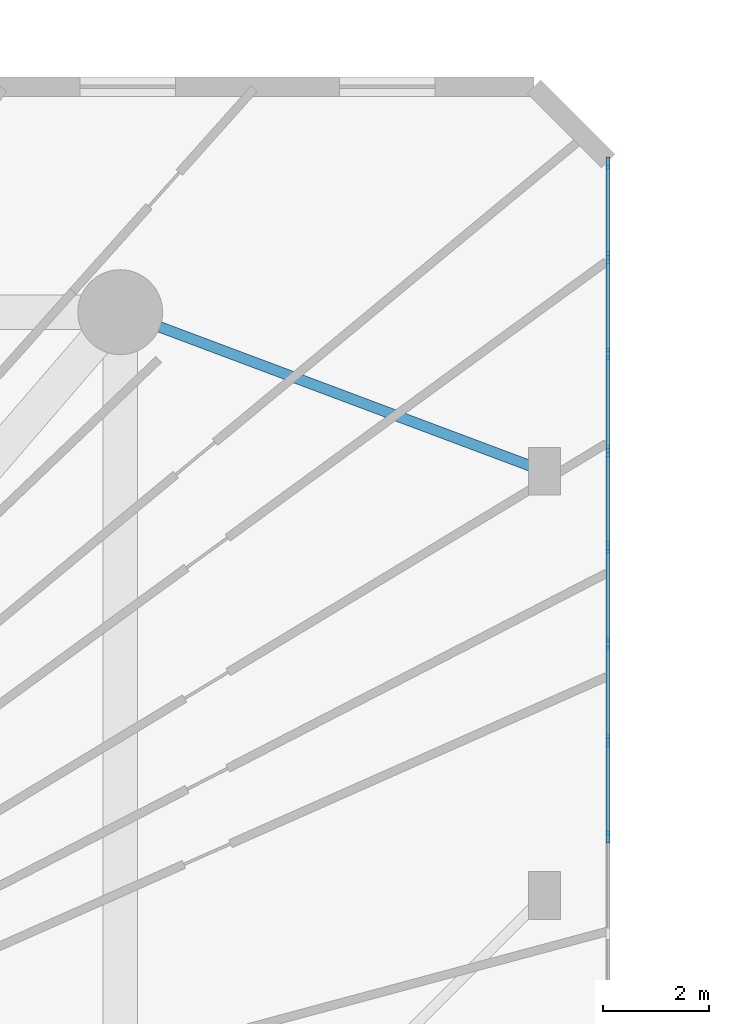
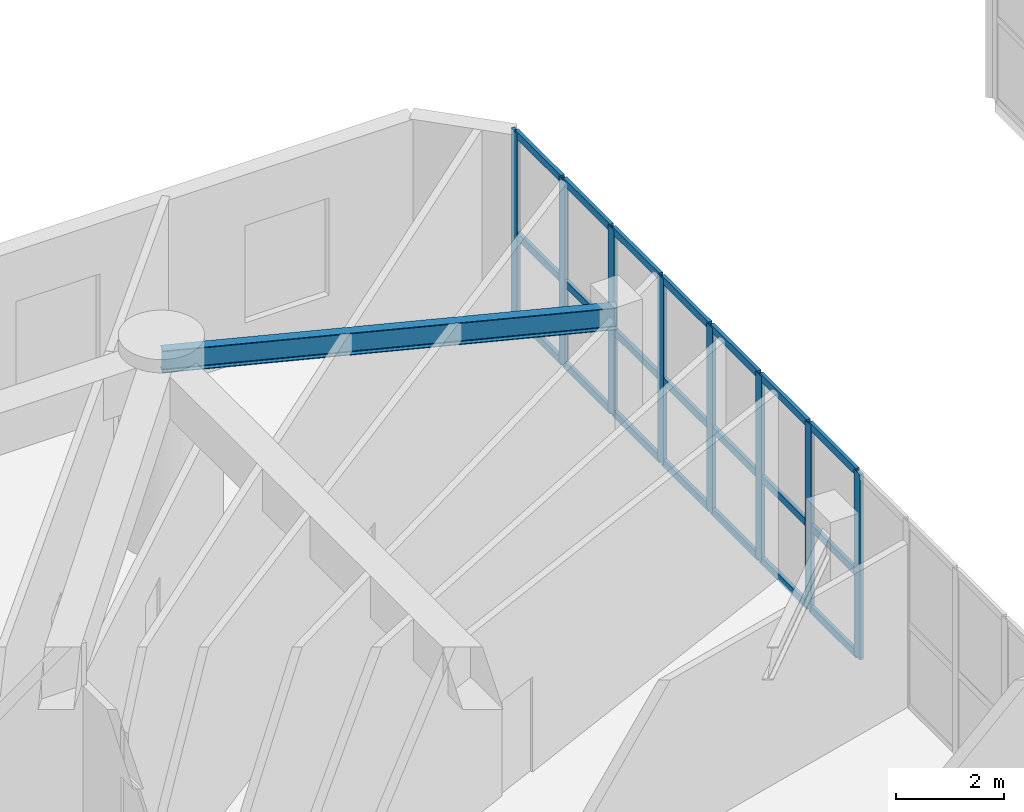
# One storey, part 5 of 26: 29 members, 1 beam, 1 element without a shape of its own.
"""IFC4 building model written with IfcOpenShell, lengths in metres."""

from ifc_helpers import new_model, si_unit, direction, frame, origin, origin_with_axes, origin_2d, place, context, subcontext, project, spatial, rectangle, i_section, extrude, source, transform, mapped, material, layer, layer_set, material_profile, profile_set, type_object, element, aggregate, save


model = new_model("IFC4")

# Units and contexts
model_context = context("Model", 3, precision=1e-05, world=origin(), true_north=direction((0.0, 1.0)))
body_context = subcontext(model_context, "Body", "Model", "MODEL_VIEW")
ifc_project = project(units=[si_unit("LENGTHUNIT", "METRE"), si_unit("AREAUNIT", "SQUARE_METRE"), si_unit("VOLUMEUNIT", "CUBIC_METRE"), si_unit("PLANEANGLEUNIT", "RADIAN"), si_unit("MASSUNIT", "GRAM", prefix="KILO")], contexts=[model_context])

# Site, building, storey
site_placement = place(None, origin())
site = spatial("IfcSite", under=ifc_project, at=site_placement, CompositionType="ELEMENT")
building_placement = place(site_placement, origin())
building = spatial("IfcBuilding", under=site, at=building_placement, Name="Karkom Vertical University and Central Library", CompositionType="ELEMENT")
storey_placement = place(building_placement, frame((0.0, 0.0, 9.0)))
storey = spatial("IfcBuildingStorey", under=building, at=storey_placement, Name="L02", CompositionType="ELEMENT", Elevation=9.0)

# Beam
ifc_material_1 = material(Name="Steel S355", Category="steel")
ifc_material_profile_1 = material_profile(ifc_material_1, i_section(OverallWidth=0.199951171875, OverallDepth=0.5, WebThickness=0.01025390625, FlangeThickness=0.01611328125, FilletRadius=0.02099609375, at=origin_2d()), Name="IPE 500")
ifc_profile_set_1 = profile_set([ifc_material_profile_1], Name="Steel S355")
beam_type = type_object("IfcBeamType", Name="STR-BM-SB-IPE500", PredefinedType="BEAM", material=ifc_profile_set_1)
shared_shape_1 = source(origin_with_axes(), body_context, "Body", "SweptSolid", [
    extrude(i_section(OverallWidth=0.199951171875, OverallDepth=0.5, WebThickness=0.01025390625, FlangeThickness=0.01611328125, FilletRadius=0.02099609375, at=origin_2d()), origin(), (0.0, 0.0, 1.0), 8.5439453125),
])
beam_placement = place(storey_placement, frame((46.800048828125, 45.5, 3.949951171875), z_axis=(0.936329177569, -0.351123441588, 0.0), x_axis=(0.351123441588, 0.936329177569, 0.0)))
element("IfcBeam", 1, at=beam_placement, inside=storey, type_object=beam_type, Name="Level 02 Arcade Tie Beam 4", PredefinedType="BEAM", context=body_context, shape_type="MappedRepresentation", body=[
    mapped(shared_shape_1, transform((0.0, 0.0, 0.0), scale=1.0)),
])

# Curtain wall, members
ifc_material_2 = material(Name="Aluminium curtain-wall framing and low-E IGU", Category="aluminium")
ifc_layer = layer(ifc_material_2, 0.199951171875)
ifc_layer_set = layer_set([ifc_layer], Name="Aluminium curtain-wall framing and low-E IGU")
curtain_wall_type = type_object("IfcCurtainWallType", Name="ENV-CW-3", PredefinedType="USERDEFINED", material=ifc_layer_set)
curtain_wall_placement = place(storey_placement, origin())
curtain_wall = element("IfcCurtainWall", 2, at=curtain_wall_placement, inside=storey, type_object=curtain_wall_type, Name="Level 02 CW-3 Curtain Wall Level 02-CW3-3-2", ObjectType="STICK MULLION GLAZING", PredefinedType="USERDEFINED")
ifc_material_3 = material(Name="Anodised Aluminium 6063-T6", Category="aluminium")
ifc_material_profile_2 = material_profile(ifc_material_3, rectangle(XDim=0.074951171875, YDim=0.219970703125, at=origin_2d()), Name="ALU-M75x220")
ifc_profile_set_2 = profile_set([ifc_material_profile_2], Name="Anodised Aluminium 6063-T6")
member_type_1 = type_object("IfcMemberType", Name="ENV-MEM-ALU-M75x220", PredefinedType="MULLION", material=ifc_profile_set_2)
shared_shape_2 = source(origin_with_axes(), body_context, "Body", "SweptSolid", [
    extrude(rectangle(XDim=0.074951171875, YDim=0.219970703125, at=origin_2d()), origin(), (0.0, 0.0, 1.0), 4.199951171875),
])
member_1_placement = place(storey_placement, frame((56.0, 35.604248046875, 0.0), z_axis=(0.0, 0.0, 1.0), x_axis=(-1.0, 0.0, 0.0)))
member_1 = element("IfcMember", 3, at=member_1_placement, type_object=member_type_1, Name="CW-3 mullion 6", PredefinedType="MULLION", context=body_context, shape_type="MappedRepresentation", body=[
    mapped(shared_shape_2, transform((0.0, 0.0, 0.0), scale=1.0)),
])
member_2_placement = place(storey_placement, frame((56.0, 37.425048828125, 0.0), z_axis=(0.0, 0.0, 1.0), x_axis=(-1.0, 0.0, 0.0)))
member_2 = element("IfcMember", 4, at=member_2_placement, type_object=member_type_1, Name="CW-3 mullion 7", PredefinedType="MULLION", context=body_context, shape_type="MappedRepresentation", body=[
    mapped(shared_shape_2, transform((0.0, 0.0, 0.0), scale=1.0)),
])
member_3_placement = place(storey_placement, frame((56.0, 39.245849609375, 0.0), z_axis=(0.0, 0.0, 1.0), x_axis=(-1.0, 0.0, 0.0)))
member_3 = element("IfcMember", 5, at=member_3_placement, type_object=member_type_1, Name="CW-3 mullion 8", PredefinedType="MULLION", context=body_context, shape_type="MappedRepresentation", body=[
    mapped(shared_shape_2, transform((0.0, 0.0, 0.0), scale=1.0)),
])
member_4_placement = place(storey_placement, frame((56.0, 41.066650390625, 0.0), z_axis=(0.0, 0.0, 1.0), x_axis=(-1.0, 0.0, 0.0)))
member_4 = element("IfcMember", 6, at=member_4_placement, type_object=member_type_1, Name="CW-3 mullion 9", PredefinedType="MULLION", context=body_context, shape_type="MappedRepresentation", body=[
    mapped(shared_shape_2, transform((0.0, 0.0, 0.0), scale=1.0)),
])
member_5_placement = place(storey_placement, frame((56.0, 42.887451171875, 0.0), z_axis=(0.0, 0.0, 1.0), x_axis=(-1.0, 0.0, 0.0)))
member_5 = element("IfcMember", 7, at=member_5_placement, type_object=member_type_1, Name="CW-3 mullion 10", PredefinedType="MULLION", context=body_context, shape_type="MappedRepresentation", body=[
    mapped(shared_shape_2, transform((0.0, 0.0, 0.0), scale=1.0)),
])
member_6_placement = place(storey_placement, frame((56.0, 44.708251953125, 0.0), z_axis=(0.0, 0.0, 1.0), x_axis=(-1.0, 0.0, 0.0)))
member_6 = element("IfcMember", 8, at=member_6_placement, type_object=member_type_1, Name="CW-3 mullion 11", PredefinedType="MULLION", context=body_context, shape_type="MappedRepresentation", body=[
    mapped(shared_shape_2, transform((0.0, 0.0, 0.0), scale=1.0)),
])
member_7_placement = place(storey_placement, frame((56.0, 46.529052734375, 0.0), z_axis=(0.0, 0.0, 1.0), x_axis=(-1.0, 0.0, 0.0)))
member_7 = element("IfcMember", 9, at=member_7_placement, type_object=member_type_1, Name="CW-3 mullion 12", PredefinedType="MULLION", context=body_context, shape_type="MappedRepresentation", body=[
    mapped(shared_shape_2, transform((0.0, 0.0, 0.0), scale=1.0)),
])
member_8_placement = place(storey_placement, frame((56.0, 48.3125, 0.0), z_axis=(0.0, 0.0, 1.0), x_axis=(-1.0, 0.0, 0.0)))
member_8 = element("IfcMember", 10, at=member_8_placement, type_object=member_type_1, Name="CW-3 mullion 13", PredefinedType="MULLION", context=body_context, shape_type="MappedRepresentation", body=[
    mapped(shared_shape_2, transform((0.0, 0.0, 0.0), scale=1.0)),
])
ifc_material_profile_3 = material_profile(ifc_material_3, rectangle(XDim=0.074951171875, YDim=0.1650390625, at=origin_2d()), Name="ALU-T75x165")
ifc_profile_set_3 = profile_set([ifc_material_profile_3], Name="Anodised Aluminium 6063-T6")
member_type_2 = type_object("IfcMemberType", Name="ENV-MEM-ALU-T75x165", PredefinedType="USERDEFINED", material=ifc_profile_set_3)
shared_shape_3 = source(origin_with_axes(), body_context, "Body", "SweptSolid", [
    extrude(rectangle(XDim=0.074951171875, YDim=0.1650390625, at=origin_2d()), origin(), (0.0, 0.0, 1.0), 1.708251953125),
])
member_9_placement = place(storey_placement, frame((56.0, 46.566650390625, 0.03759765625), z_axis=(0.0, 1.0, 0.0), x_axis=(-1.0, 0.0, 0.0)))
member_9 = element("IfcMember", 11, at=member_9_placement, type_object=member_type_2, Name="CW-3 transom 12.1", ObjectType="TRANSOM", PredefinedType="USERDEFINED", context=body_context, shape_type="MappedRepresentation", body=[
    mapped(shared_shape_3, transform((0.0, 0.0, 0.0), scale=1.0)),
])
member_10_placement = place(storey_placement, frame((56.0, 46.566650390625, 1.889892578125), z_axis=(0.0, 1.0, 0.0), x_axis=(-1.0, 0.0, 0.0)))
member_10 = element("IfcMember", 12, at=member_10_placement, type_object=member_type_2, Name="CW-3 transom 12.2", ObjectType="TRANSOM", PredefinedType="USERDEFINED", context=body_context, shape_type="MappedRepresentation", body=[
    mapped(shared_shape_3, transform((0.0, 0.0, 0.0), scale=1.0)),
])
member_11_placement = place(storey_placement, frame((56.0, 46.566650390625, 4.16259765625), z_axis=(0.0, 1.0, 0.0), x_axis=(-1.0, 0.0, 0.0)))
member_11 = element("IfcMember", 13, at=member_11_placement, type_object=member_type_2, Name="CW-3 transom 12.3", ObjectType="TRANSOM", PredefinedType="USERDEFINED", context=body_context, shape_type="MappedRepresentation", body=[
    mapped(shared_shape_3, transform((0.0, 0.0, 0.0), scale=1.0)),
])
shared_shape_4 = source(origin_with_axes(), body_context, "Body", "SweptSolid", [
    extrude(rectangle(XDim=0.074951171875, YDim=0.1650390625, at=origin_2d()), origin(), (0.0, 0.0, 1.0), 1.745849609375),
])
member_12_placement = place(storey_placement, frame((56.0, 35.6416015625, 0.03759765625), z_axis=(0.0, 1.0, 0.0), x_axis=(-1.0, 0.0, 0.0)))
member_12 = element("IfcMember", 14, at=member_12_placement, type_object=member_type_2, Name="CW-3 transom 6.1", ObjectType="TRANSOM", PredefinedType="USERDEFINED", context=body_context, shape_type="MappedRepresentation", body=[
    mapped(shared_shape_4, transform((0.0, 0.0, 0.0), scale=1.0)),
])
member_13_placement = place(storey_placement, frame((56.0, 35.6416015625, 1.889892578125), z_axis=(0.0, 1.0, 0.0), x_axis=(-1.0, 0.0, 0.0)))
member_13 = element("IfcMember", 15, at=member_13_placement, type_object=member_type_2, Name="CW-3 transom 6.2", ObjectType="TRANSOM", PredefinedType="USERDEFINED", context=body_context, shape_type="MappedRepresentation", body=[
    mapped(shared_shape_4, transform((0.0, 0.0, 0.0), scale=1.0)),
])
member_14_placement = place(storey_placement, frame((56.0, 35.6416015625, 4.16259765625), z_axis=(0.0, 1.0, 0.0), x_axis=(-1.0, 0.0, 0.0)))
member_14 = element("IfcMember", 16, at=member_14_placement, type_object=member_type_2, Name="CW-3 transom 6.3", ObjectType="TRANSOM", PredefinedType="USERDEFINED", context=body_context, shape_type="MappedRepresentation", body=[
    mapped(shared_shape_4, transform((0.0, 0.0, 0.0), scale=1.0)),
])
member_15_placement = place(storey_placement, frame((56.0, 37.46240234375, 0.03759765625), z_axis=(0.0, 1.0, 0.0), x_axis=(-1.0, 0.0, 0.0)))
member_15 = element("IfcMember", 17, at=member_15_placement, type_object=member_type_2, Name="CW-3 transom 7.1", ObjectType="TRANSOM", PredefinedType="USERDEFINED", context=body_context, shape_type="MappedRepresentation", body=[
    mapped(shared_shape_4, transform((0.0, 0.0, 0.0), scale=1.0)),
])
member_16_placement = place(storey_placement, frame((56.0, 37.46240234375, 1.889892578125), z_axis=(0.0, 1.0, 0.0), x_axis=(-1.0, 0.0, 0.0)))
member_16 = element("IfcMember", 18, at=member_16_placement, type_object=member_type_2, Name="CW-3 transom 7.2", ObjectType="TRANSOM", PredefinedType="USERDEFINED", context=body_context, shape_type="MappedRepresentation", body=[
    mapped(shared_shape_4, transform((0.0, 0.0, 0.0), scale=1.0)),
])
member_17_placement = place(storey_placement, frame((56.0, 37.46240234375, 4.16259765625), z_axis=(0.0, 1.0, 0.0), x_axis=(-1.0, 0.0, 0.0)))
member_17 = element("IfcMember", 19, at=member_17_placement, type_object=member_type_2, Name="CW-3 transom 7.3", ObjectType="TRANSOM", PredefinedType="USERDEFINED", context=body_context, shape_type="MappedRepresentation", body=[
    mapped(shared_shape_4, transform((0.0, 0.0, 0.0), scale=1.0)),
])
member_18_placement = place(storey_placement, frame((56.0, 41.104248046875, 0.03759765625), z_axis=(0.0, 1.0, 0.0), x_axis=(-1.0, 0.0, 0.0)))
member_18 = element("IfcMember", 20, at=member_18_placement, type_object=member_type_2, Name="CW-3 transom 9.1", ObjectType="TRANSOM", PredefinedType="USERDEFINED", context=body_context, shape_type="MappedRepresentation", body=[
    mapped(shared_shape_4, transform((0.0, 0.0, 0.0), scale=1.0)),
])
member_19_placement = place(storey_placement, frame((56.0, 41.104248046875, 1.889892578125), z_axis=(0.0, 1.0, 0.0), x_axis=(-1.0, 0.0, 0.0)))
member_19 = element("IfcMember", 21, at=member_19_placement, type_object=member_type_2, Name="CW-3 transom 9.2", ObjectType="TRANSOM", PredefinedType="USERDEFINED", context=body_context, shape_type="MappedRepresentation", body=[
    mapped(shared_shape_4, transform((0.0, 0.0, 0.0), scale=1.0)),
])
member_20_placement = place(storey_placement, frame((56.0, 41.104248046875, 4.16259765625), z_axis=(0.0, 1.0, 0.0), x_axis=(-1.0, 0.0, 0.0)))
member_20 = element("IfcMember", 22, at=member_20_placement, type_object=member_type_2, Name="CW-3 transom 9.3", ObjectType="TRANSOM", PredefinedType="USERDEFINED", context=body_context, shape_type="MappedRepresentation", body=[
    mapped(shared_shape_4, transform((0.0, 0.0, 0.0), scale=1.0)),
])
member_21_placement = place(storey_placement, frame((56.0, 42.925048828125, 0.03759765625), z_axis=(0.0, 1.0, 0.0), x_axis=(-1.0, 0.0, 0.0)))
member_21 = element("IfcMember", 23, at=member_21_placement, type_object=member_type_2, Name="CW-3 transom 10.1", ObjectType="TRANSOM", PredefinedType="USERDEFINED", context=body_context, shape_type="MappedRepresentation", body=[
    mapped(shared_shape_4, transform((0.0, 0.0, 0.0), scale=1.0)),
])
member_22_placement = place(storey_placement, frame((56.0, 42.925048828125, 1.889892578125), z_axis=(0.0, 1.0, 0.0), x_axis=(-1.0, 0.0, 0.0)))
member_22 = element("IfcMember", 24, at=member_22_placement, type_object=member_type_2, Name="CW-3 transom 10.2", ObjectType="TRANSOM", PredefinedType="USERDEFINED", context=body_context, shape_type="MappedRepresentation", body=[
    mapped(shared_shape_4, transform((0.0, 0.0, 0.0), scale=1.0)),
])
member_23_placement = place(storey_placement, frame((56.0, 42.925048828125, 4.16259765625), z_axis=(0.0, 1.0, 0.0), x_axis=(-1.0, 0.0, 0.0)))
member_23 = element("IfcMember", 25, at=member_23_placement, type_object=member_type_2, Name="CW-3 transom 10.3", ObjectType="TRANSOM", PredefinedType="USERDEFINED", context=body_context, shape_type="MappedRepresentation", body=[
    mapped(shared_shape_4, transform((0.0, 0.0, 0.0), scale=1.0)),
])
member_24_placement = place(storey_placement, frame((56.0, 44.745849609375, 0.03759765625), z_axis=(0.0, 1.0, 0.0), x_axis=(-1.0, 0.0, 0.0)))
member_24 = element("IfcMember", 26, at=member_24_placement, type_object=member_type_2, Name="CW-3 transom 11.1", ObjectType="TRANSOM", PredefinedType="USERDEFINED", context=body_context, shape_type="MappedRepresentation", body=[
    mapped(shared_shape_4, transform((0.0, 0.0, 0.0), scale=1.0)),
])
member_25_placement = place(storey_placement, frame((56.0, 44.745849609375, 1.889892578125), z_axis=(0.0, 1.0, 0.0), x_axis=(-1.0, 0.0, 0.0)))
member_25 = element("IfcMember", 27, at=member_25_placement, type_object=member_type_2, Name="CW-3 transom 11.2", ObjectType="TRANSOM", PredefinedType="USERDEFINED", context=body_context, shape_type="MappedRepresentation", body=[
    mapped(shared_shape_4, transform((0.0, 0.0, 0.0), scale=1.0)),
])
member_26_placement = place(storey_placement, frame((56.0, 44.745849609375, 4.16259765625), z_axis=(0.0, 1.0, 0.0), x_axis=(-1.0, 0.0, 0.0)))
member_26 = element("IfcMember", 28, at=member_26_placement, type_object=member_type_2, Name="CW-3 transom 11.3", ObjectType="TRANSOM", PredefinedType="USERDEFINED", context=body_context, shape_type="MappedRepresentation", body=[
    mapped(shared_shape_4, transform((0.0, 0.0, 0.0), scale=1.0)),
])
shared_shape_5 = source(origin_with_axes(), body_context, "Body", "SweptSolid", [
    extrude(rectangle(XDim=0.074951171875, YDim=0.1650390625, at=origin_2d()), origin(), (0.0, 0.0, 1.0), 1.74560546875),
])
member_27_placement = place(storey_placement, frame((56.0, 39.283447265625, 0.03759765625), z_axis=(0.0, 1.0, 0.0), x_axis=(-1.0, 0.0, 0.0)))
member_27 = element("IfcMember", 29, at=member_27_placement, type_object=member_type_2, Name="CW-3 transom 8.1", ObjectType="TRANSOM", PredefinedType="USERDEFINED", context=body_context, shape_type="MappedRepresentation", body=[
    mapped(shared_shape_5, transform((0.0, 0.0, 0.0), scale=1.0)),
])
member_28_placement = place(storey_placement, frame((56.0, 39.283447265625, 1.889892578125), z_axis=(0.0, 1.0, 0.0), x_axis=(-1.0, 0.0, 0.0)))
member_28 = element("IfcMember", 30, at=member_28_placement, type_object=member_type_2, Name="CW-3 transom 8.2", ObjectType="TRANSOM", PredefinedType="USERDEFINED", context=body_context, shape_type="MappedRepresentation", body=[
    mapped(shared_shape_5, transform((0.0, 0.0, 0.0), scale=1.0)),
])
member_29_placement = place(storey_placement, frame((56.0, 39.283447265625, 4.16259765625), z_axis=(0.0, 1.0, 0.0), x_axis=(-1.0, 0.0, 0.0)))
member_29 = element("IfcMember", 31, at=member_29_placement, type_object=member_type_2, Name="CW-3 transom 8.3", ObjectType="TRANSOM", PredefinedType="USERDEFINED", context=body_context, shape_type="MappedRepresentation", body=[
    mapped(shared_shape_5, transform((0.0, 0.0, 0.0), scale=1.0)),
])
aggregate(curtain_wall, [member_1, member_2, member_3, member_4, member_5, member_6, member_7, member_8, member_12, member_13, member_14, member_15, member_16, member_17, member_27, member_28, member_29, member_18, member_19, member_20, member_21, member_22, member_23, member_24, member_25, member_26, member_9, member_10, member_11])

save(model, "model.ifc")
